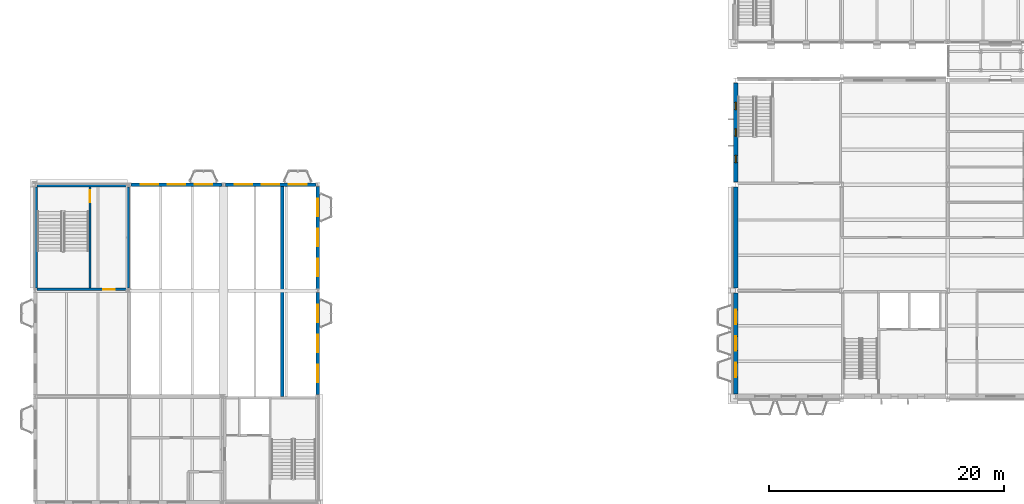
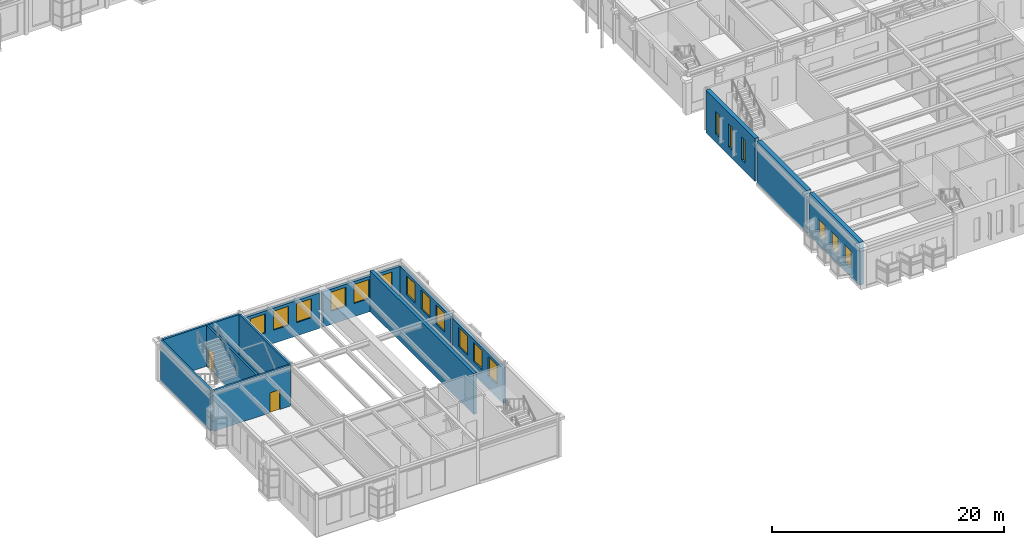
# One storey, part 93 of 153: 18 windows, 13 walls, 2 doors, 20 openings.
"""IFC4 building model written with IfcOpenShell, lengths in metres."""

from ifc_helpers import new_model, si_unit, direction, frame, frame_2d, origin, place, context, subcontext, project, spatial, rectangle, extrude, material, layer, layer_set, type_object, element, fill, save


model = new_model("IFC4")

# Units and contexts
model_context = context("Model", 3, precision=1e-05, world=origin(), true_north=direction((0.0, 1.0)))
body_context = subcontext(model_context, "Body", "Model", "MODEL_VIEW")
ifc_project = project(units=[si_unit("LENGTHUNIT", "METRE"), si_unit("AREAUNIT", "SQUARE_METRE"), si_unit("VOLUMEUNIT", "CUBIC_METRE"), si_unit("PLANEANGLEUNIT", "RADIAN"), si_unit("MASSUNIT", "GRAM", prefix="KILO")], contexts=[model_context])

# Site, building, storey
site_placement = place(None, origin())
site = spatial("IfcSite", under=ifc_project, at=site_placement, CompositionType="ELEMENT")
building_placement = place(site_placement, origin())
building = spatial("IfcBuilding", under=site, at=building_placement, Name="Kallimachos Central Library", CompositionType="ELEMENT")
storey_placement = place(building_placement, frame((0.0, 0.0, 5.39990234375)))
storey = spatial("IfcBuildingStorey", under=building, at=storey_placement, Name="L01", CompositionType="ELEMENT", Elevation=5.39990234375)

# Wall, openings, windows
ifc_material_1 = material(Name="Brick masonry with insulation, U 0.45 W/m2K", Category="masonry")
ifc_layer_1 = layer(ifc_material_1, 0.300048828125)
ifc_layer_set_1 = layer_set([ifc_layer_1], Name="Brick wall 300")
wall_type_1 = type_object("IfcWallType", Name="Brick wall 300", PredefinedType="SOLIDWALL", material=ifc_layer_set_1)
wall_1_placement = place(storey_placement, frame((14.14990234375, 36.0, 0.0), z_axis=(0.0, 0.0, 1.0), x_axis=(1.0, 0.0, 0.0)))
wall_1 = element("IfcWall", 1, at=wall_1_placement, inside=storey, type_object=wall_type_1, Name="V6-WAL-L01-009", PredefinedType="SOLIDWALL", context=body_context, shape_type="SweptSolid", body=[
    extrude(rectangle(XDim=7.7001953125, YDim=0.300048828125, at=frame_2d((3.85009765625, 0.0))), origin(), (0.0, 0.0, 1.0), 3.72021484375),
])
opening_1_placement = place(wall_1_placement, frame((0.800048828125, 0.0, 1.39990234375)))
opening_1 = element("IfcOpeningElement", 2, at=opening_1_placement, cuts=wall_1, Name="Opening WT10", PredefinedType="OPENING", context=body_context, shape_type="SweptSolid", body=[
    extrude(rectangle(XDim=1.5, YDim=2.0, at=frame_2d((0.75, 1.0))), frame((0.0, 0.159912109375, 0.0), z_axis=(0.0, -1.0, 0.0), x_axis=(1.0, 0.0, 0.0)), (0.0, 0.0, 1.0), 0.320068359375),
])
opening_2_placement = place(wall_1_placement, frame((3.10009765625, 0.0, 1.39990234375)))
opening_2 = element("IfcOpeningElement", 3, at=opening_2_placement, cuts=wall_1, Name="Opening WT10", PredefinedType="OPENING", context=body_context, shape_type="SweptSolid", body=[
    extrude(rectangle(XDim=1.5, YDim=2.0, at=frame_2d((0.75, 1.0))), frame((0.0, 0.159912109375, 0.0), z_axis=(0.0, -1.0, 0.0), x_axis=(1.0, 0.0, 0.0)), (0.0, 0.0, 1.0), 0.320068359375),
])
opening_3_placement = place(wall_1_placement, frame((5.39990234375, 0.0, 1.39990234375)))
opening_3 = element("IfcOpeningElement", 4, at=opening_3_placement, cuts=wall_1, Name="Opening WT10", PredefinedType="OPENING", context=body_context, shape_type="SweptSolid", body=[
    extrude(rectangle(XDim=1.5, YDim=2.0, at=frame_2d((0.75, 1.0))), frame((0.0, 0.159912109375, 0.0), z_axis=(0.0, -1.0, 0.0), x_axis=(1.0, 0.0, 0.0)), (0.0, 0.0, 1.0), 0.320068359375),
])
ifc_material_2 = material(Name="Anodised aluminium and laminated glass", Category="aluminium")
window_type_1 = type_object("IfcWindowType", Name="Clerestory window 1500 x 2000", PartitioningType="SINGLE_PANEL", PredefinedType="WINDOW", material=ifc_material_2)
window_1_placement = place(opening_1_placement, origin())
window_1 = element("IfcWindow", 5, at=window_1_placement, inside=storey, type_object=window_type_1, Name="V6-WIN-L01-012", OverallHeight=2.0, OverallWidth=1.5, PartitioningType="SINGLE_PANEL", PredefinedType="WINDOW", context=body_context, shape_type="SweptSolid", body=[
    extrude(rectangle(XDim=1.5, YDim=2.0, at=frame_2d((0.75, 1.0))), frame((0.0, 0.030029296875, 0.0), z_axis=(0.0, -1.0, 0.0), x_axis=(1.0, 0.0, 0.0)), (0.0, 0.0, 1.0), 0.06005859375),
])
fill(opening_1, window_1)
window_2_placement = place(opening_2_placement, origin())
window_2 = element("IfcWindow", 6, at=window_2_placement, inside=storey, type_object=window_type_1, Name="V6-WIN-L01-013", OverallHeight=2.0, OverallWidth=1.5, PartitioningType="SINGLE_PANEL", PredefinedType="WINDOW", context=body_context, shape_type="SweptSolid", body=[
    extrude(rectangle(XDim=1.5, YDim=2.0, at=frame_2d((0.75, 1.0))), frame((0.0, 0.030029296875, 0.0), z_axis=(0.0, -1.0, 0.0), x_axis=(1.0, 0.0, 0.0)), (0.0, 0.0, 1.0), 0.06005859375),
])
fill(opening_2, window_2)
window_3_placement = place(opening_3_placement, origin())
window_3 = element("IfcWindow", 7, at=window_3_placement, inside=storey, type_object=window_type_1, Name="V6-WIN-L01-014", OverallHeight=2.0, OverallWidth=1.5, PartitioningType="SINGLE_PANEL", PredefinedType="WINDOW", context=body_context, shape_type="SweptSolid", body=[
    extrude(rectangle(XDim=1.5, YDim=2.0, at=frame_2d((0.75, 1.0))), frame((0.0, 0.030029296875, 0.0), z_axis=(0.0, -1.0, 0.0), x_axis=(1.0, 0.0, 0.0)), (0.0, 0.0, 1.0), 0.06005859375),
])
fill(opening_3, window_3)

wall_2_placement = place(storey_placement, frame((22.14990234375, 36.0, 0.0), z_axis=(0.0, 0.0, 1.0), x_axis=(1.0, 0.0, 0.0)))
wall_2 = element("IfcWall", 8, at=wall_2_placement, inside=storey, type_object=wall_type_1, Name="V6-WAL-L01-010", PredefinedType="SOLIDWALL", context=body_context, shape_type="SweptSolid", body=[
    extrude(rectangle(XDim=7.7001953125, YDim=0.300048828125, at=frame_2d((3.85009765625, 0.0))), origin(), (0.0, 0.0, 1.0), 3.72021484375),
])
opening_4_placement = place(wall_2_placement, frame((0.800048828125, 0.0, 1.39990234375)))
opening_4 = element("IfcOpeningElement", 9, at=opening_4_placement, cuts=wall_2, Name="Opening WT10", PredefinedType="OPENING", context=body_context, shape_type="SweptSolid", body=[
    extrude(rectangle(XDim=1.5, YDim=2.0, at=frame_2d((0.75, 1.0))), frame((0.0, 0.159912109375, 0.0), z_axis=(0.0, -1.0, 0.0), x_axis=(1.0, 0.0, 0.0)), (0.0, 0.0, 1.0), 0.320068359375),
])
opening_5_placement = place(wall_2_placement, frame((3.10009765625, 0.0, 1.39990234375)))
opening_5 = element("IfcOpeningElement", 10, at=opening_5_placement, cuts=wall_2, Name="Opening WT10", PredefinedType="OPENING", context=body_context, shape_type="SweptSolid", body=[
    extrude(rectangle(XDim=1.5, YDim=2.0, at=frame_2d((0.75, 1.0))), frame((0.0, 0.159912109375, 0.0), z_axis=(0.0, -1.0, 0.0), x_axis=(1.0, 0.0, 0.0)), (0.0, 0.0, 1.0), 0.320068359375),
])
opening_6_placement = place(wall_2_placement, frame((5.39990234375, 0.0, 1.39990234375)))
opening_6 = element("IfcOpeningElement", 11, at=opening_6_placement, cuts=wall_2, Name="Opening WT10", PredefinedType="OPENING", context=body_context, shape_type="SweptSolid", body=[
    extrude(rectangle(XDim=1.5, YDim=2.0, at=frame_2d((0.75, 1.0))), frame((0.0, 0.159912109375, 0.0), z_axis=(0.0, -1.0, 0.0), x_axis=(1.0, 0.0, 0.0)), (0.0, 0.0, 1.0), 0.320068359375),
])
window_4_placement = place(opening_4_placement, origin())
window_4 = element("IfcWindow", 12, at=window_4_placement, inside=storey, type_object=window_type_1, Name="V6-WIN-L01-015", OverallHeight=2.0, OverallWidth=1.5, PartitioningType="SINGLE_PANEL", PredefinedType="WINDOW", context=body_context, shape_type="SweptSolid", body=[
    extrude(rectangle(XDim=1.5, YDim=2.0, at=frame_2d((0.75, 1.0))), frame((0.0, 0.030029296875, 0.0), z_axis=(0.0, -1.0, 0.0), x_axis=(1.0, 0.0, 0.0)), (0.0, 0.0, 1.0), 0.06005859375),
])
fill(opening_4, window_4)
window_5_placement = place(opening_5_placement, origin())
window_5 = element("IfcWindow", 13, at=window_5_placement, inside=storey, type_object=window_type_1, Name="V6-WIN-L01-016", OverallHeight=2.0, OverallWidth=1.5, PartitioningType="SINGLE_PANEL", PredefinedType="WINDOW", context=body_context, shape_type="SweptSolid", body=[
    extrude(rectangle(XDim=1.5, YDim=2.0, at=frame_2d((0.75, 1.0))), frame((0.0, 0.030029296875, 0.0), z_axis=(0.0, -1.0, 0.0), x_axis=(1.0, 0.0, 0.0)), (0.0, 0.0, 1.0), 0.06005859375),
])
fill(opening_5, window_5)
window_6_placement = place(opening_6_placement, origin())
window_6 = element("IfcWindow", 14, at=window_6_placement, inside=storey, type_object=window_type_1, Name="V6-WIN-L01-017", OverallHeight=2.0, OverallWidth=1.5, PartitioningType="SINGLE_PANEL", PredefinedType="WINDOW", context=body_context, shape_type="SweptSolid", body=[
    extrude(rectangle(XDim=1.5, YDim=2.0, at=frame_2d((0.75, 1.0))), frame((0.0, 0.030029296875, 0.0), z_axis=(0.0, -1.0, 0.0), x_axis=(1.0, 0.0, 0.0)), (0.0, 0.0, 1.0), 0.06005859375),
])
fill(opening_6, window_6)

wall_3_placement = place(storey_placement, frame((30.0, 18.14990234375, 0.0), z_axis=(0.0, 0.0, 1.0), x_axis=(0.0, 1.0, 0.0)))
wall_3 = element("IfcWall", 15, at=wall_3_placement, inside=storey, type_object=wall_type_1, Name="V6-WAL-L01-011", PredefinedType="SOLIDWALL", context=body_context, shape_type="SweptSolid", body=[
    extrude(rectangle(XDim=8.7001953125, YDim=0.300048828125, at=frame_2d((4.35009765625, 0.0))), origin(), (0.0, 0.0, 1.0), 3.72021484375),
])
opening_7_placement = place(wall_3_placement, frame((1.050048828125, 0.0, 1.39990234375)))
opening_7 = element("IfcOpeningElement", 16, at=opening_7_placement, cuts=wall_3, Name="Opening WT10", PredefinedType="OPENING", context=body_context, shape_type="SweptSolid", body=[
    extrude(rectangle(XDim=1.5, YDim=2.0, at=frame_2d((0.75, 1.0))), frame((0.0, 0.159912109375, 0.0), z_axis=(0.0, -1.0, 0.0), x_axis=(1.0, 0.0, 0.0)), (0.0, 0.0, 1.0), 0.320068359375),
])
opening_8_placement = place(wall_3_placement, frame((3.60009765625, 0.0, 1.39990234375)))
opening_8 = element("IfcOpeningElement", 17, at=opening_8_placement, cuts=wall_3, Name="Opening WT10", PredefinedType="OPENING", context=body_context, shape_type="SweptSolid", body=[
    extrude(rectangle(XDim=1.5, YDim=2.0, at=frame_2d((0.75, 1.0))), frame((0.0, 0.159912109375, 0.0), z_axis=(0.0, -1.0, 0.0), x_axis=(1.0, 0.0, 0.0)), (0.0, 0.0, 1.0), 0.320068359375),
])
opening_9_placement = place(wall_3_placement, frame((6.14990234375, 0.0, 1.39990234375)))
opening_9 = element("IfcOpeningElement", 18, at=opening_9_placement, cuts=wall_3, Name="Opening WT10", PredefinedType="OPENING", context=body_context, shape_type="SweptSolid", body=[
    extrude(rectangle(XDim=1.5, YDim=2.0, at=frame_2d((0.75, 1.0))), frame((0.0, 0.159912109375, 0.0), z_axis=(0.0, -1.0, 0.0), x_axis=(1.0, 0.0, 0.0)), (0.0, 0.0, 1.0), 0.320068359375),
])
window_7_placement = place(opening_7_placement, origin())
window_7 = element("IfcWindow", 19, at=window_7_placement, inside=storey, type_object=window_type_1, Name="V6-WIN-L01-018", OverallHeight=2.0, OverallWidth=1.5, PartitioningType="SINGLE_PANEL", PredefinedType="WINDOW", context=body_context, shape_type="SweptSolid", body=[
    extrude(rectangle(XDim=1.5, YDim=2.0, at=frame_2d((0.75, 1.0))), frame((0.0, 0.030029296875, 0.0), z_axis=(0.0, -1.0, 0.0), x_axis=(1.0, 0.0, 0.0)), (0.0, 0.0, 1.0), 0.06005859375),
])
fill(opening_7, window_7)
window_8_placement = place(opening_8_placement, origin())
window_8 = element("IfcWindow", 20, at=window_8_placement, inside=storey, type_object=window_type_1, Name="V6-WIN-L01-019", OverallHeight=2.0, OverallWidth=1.5, PartitioningType="SINGLE_PANEL", PredefinedType="WINDOW", context=body_context, shape_type="SweptSolid", body=[
    extrude(rectangle(XDim=1.5, YDim=2.0, at=frame_2d((0.75, 1.0))), frame((0.0, 0.030029296875, 0.0), z_axis=(0.0, -1.0, 0.0), x_axis=(1.0, 0.0, 0.0)), (0.0, 0.0, 1.0), 0.06005859375),
])
fill(opening_8, window_8)
window_9_placement = place(opening_9_placement, origin())
window_9 = element("IfcWindow", 21, at=window_9_placement, inside=storey, type_object=window_type_1, Name="V6-WIN-L01-020", OverallHeight=2.0, OverallWidth=1.5, PartitioningType="SINGLE_PANEL", PredefinedType="WINDOW", context=body_context, shape_type="SweptSolid", body=[
    extrude(rectangle(XDim=1.5, YDim=2.0, at=frame_2d((0.75, 1.0))), frame((0.0, 0.030029296875, 0.0), z_axis=(0.0, -1.0, 0.0), x_axis=(1.0, 0.0, 0.0)), (0.0, 0.0, 1.0), 0.06005859375),
])
fill(opening_9, window_9)

wall_4_placement = place(storey_placement, frame((30.0, 27.14990234375, 0.0), z_axis=(0.0, 0.0, 1.0), x_axis=(0.0, 1.0, 0.0)))
wall_4 = element("IfcWall", 22, at=wall_4_placement, inside=storey, type_object=wall_type_1, Name="V6-WAL-L01-012", PredefinedType="SOLIDWALL", context=body_context, shape_type="SweptSolid", body=[
    extrude(rectangle(XDim=8.7001953125, YDim=0.300048828125, at=frame_2d((4.35009765625, 0.0))), origin(), (0.0, 0.0, 1.0), 3.72021484375),
])
opening_10_placement = place(wall_4_placement, frame((1.050048828125, 0.0, 1.39990234375)))
opening_10 = element("IfcOpeningElement", 23, at=opening_10_placement, cuts=wall_4, Name="Opening WT10", PredefinedType="OPENING", context=body_context, shape_type="SweptSolid", body=[
    extrude(rectangle(XDim=1.5, YDim=2.0, at=frame_2d((0.75, 1.0))), frame((0.0, 0.159912109375, 0.0), z_axis=(0.0, -1.0, 0.0), x_axis=(1.0, 0.0, 0.0)), (0.0, 0.0, 1.0), 0.320068359375),
])
opening_11_placement = place(wall_4_placement, frame((3.60009765625, 0.0, 1.39990234375)))
opening_11 = element("IfcOpeningElement", 24, at=opening_11_placement, cuts=wall_4, Name="Opening WT10", PredefinedType="OPENING", context=body_context, shape_type="SweptSolid", body=[
    extrude(rectangle(XDim=1.5, YDim=2.0, at=frame_2d((0.75, 1.0))), frame((0.0, 0.159912109375, 0.0), z_axis=(0.0, -1.0, 0.0), x_axis=(1.0, 0.0, 0.0)), (0.0, 0.0, 1.0), 0.320068359375),
])
opening_12_placement = place(wall_4_placement, frame((6.14990234375, 0.0, 1.39990234375)))
opening_12 = element("IfcOpeningElement", 25, at=opening_12_placement, cuts=wall_4, Name="Opening WT10", PredefinedType="OPENING", context=body_context, shape_type="SweptSolid", body=[
    extrude(rectangle(XDim=1.5, YDim=2.0, at=frame_2d((0.75, 1.0))), frame((0.0, 0.159912109375, 0.0), z_axis=(0.0, -1.0, 0.0), x_axis=(1.0, 0.0, 0.0)), (0.0, 0.0, 1.0), 0.320068359375),
])
window_10_placement = place(opening_10_placement, origin())
window_10 = element("IfcWindow", 26, at=window_10_placement, inside=storey, type_object=window_type_1, Name="V6-WIN-L01-021", OverallHeight=2.0, OverallWidth=1.5, PartitioningType="SINGLE_PANEL", PredefinedType="WINDOW", context=body_context, shape_type="SweptSolid", body=[
    extrude(rectangle(XDim=1.5, YDim=2.0, at=frame_2d((0.75, 1.0))), frame((0.0, 0.030029296875, 0.0), z_axis=(0.0, -1.0, 0.0), x_axis=(1.0, 0.0, 0.0)), (0.0, 0.0, 1.0), 0.06005859375),
])
fill(opening_10, window_10)
window_11_placement = place(opening_11_placement, origin())
window_11 = element("IfcWindow", 27, at=window_11_placement, inside=storey, type_object=window_type_1, Name="V6-WIN-L01-022", OverallHeight=2.0, OverallWidth=1.5, PartitioningType="SINGLE_PANEL", PredefinedType="WINDOW", context=body_context, shape_type="SweptSolid", body=[
    extrude(rectangle(XDim=1.5, YDim=2.0, at=frame_2d((0.75, 1.0))), frame((0.0, 0.030029296875, 0.0), z_axis=(0.0, -1.0, 0.0), x_axis=(1.0, 0.0, 0.0)), (0.0, 0.0, 1.0), 0.06005859375),
])
fill(opening_11, window_11)
window_12_placement = place(opening_12_placement, origin())
window_12 = element("IfcWindow", 28, at=window_12_placement, inside=storey, type_object=window_type_1, Name="V6-WIN-L01-023", OverallHeight=2.0, OverallWidth=1.5, PartitioningType="SINGLE_PANEL", PredefinedType="WINDOW", context=body_context, shape_type="SweptSolid", body=[
    extrude(rectangle(XDim=1.5, YDim=2.0, at=frame_2d((0.75, 1.0))), frame((0.0, 0.030029296875, 0.0), z_axis=(0.0, -1.0, 0.0), x_axis=(1.0, 0.0, 0.0)), (0.0, 0.0, 1.0), 0.06005859375),
])
fill(opening_12, window_12)

# Wall, opening, door
ifc_material_3 = material(Name="Concrete C30/37", Category="concrete")
ifc_layer_2 = layer(ifc_material_3, 0.199951171875)
ifc_layer_set_2 = layer_set([ifc_layer_2], Name="Core wall 200")
wall_type_2 = type_object("IfcWallType", Name="Core wall 200", PredefinedType="SOLIDWALL", material=ifc_layer_set_2)
wall_5_placement = place(storey_placement, frame((6.14990234375, 27.10009765625, 0.0), z_axis=(0.0, 0.0, 1.0), x_axis=(1.0, 0.0, 0.0)))
wall_5 = element("IfcWall", 29, at=wall_5_placement, inside=storey, type_object=wall_type_2, Name="V6-WAL-L01-023", PredefinedType="SOLIDWALL", context=body_context, shape_type="SweptSolid", body=[
    extrude(rectangle(XDim=7.7001953125, YDim=0.199951171875, at=frame_2d((3.85009765625, 0.0))), origin(), (0.0, 0.0, 1.0), 4.300048828125),
])
opening_13_placement = place(wall_5_placement, frame((5.625, 0.0, 0.0)))
opening_13 = element("IfcOpeningElement", 30, at=opening_13_placement, cuts=wall_5, Name="Opening D356", PredefinedType="OPENING", context=body_context, shape_type="SweptSolid", body=[
    extrude(rectangle(XDim=1.0, YDim=2.10009765625, at=frame_2d((0.5, 1.050048828125))), frame((0.0, 0.10986328125, 0.0), z_axis=(0.0, -1.0, 0.0), x_axis=(1.0, 0.0, 0.0)), (0.0, 0.0, 1.0), 0.219970703125),
])
ifc_material_4 = material(Name="Oak timber", Category="wood")
door_type = type_object("IfcDoorType", Name="Single door 1000 x 2100", OperationType="NOTDEFINED", PredefinedType="DOOR", material=ifc_material_4)
door_1_placement = place(opening_13_placement, origin())
door_1 = element("IfcDoor", 31, at=door_1_placement, inside=storey, type_object=door_type, Name="Stair Lobby Door", OperationType="SINGLE_SWING_RIGHT", OverallHeight=2.10009765625, OverallWidth=1.0, PredefinedType="DOOR", context=body_context, shape_type="SweptSolid", body=[
    extrude(rectangle(XDim=1.0, YDim=2.10009765625, at=frame_2d((0.5, 1.050048828125))), frame((0.0, 0.02490234375, 0.0), z_axis=(0.0, -1.0, 0.0), x_axis=(1.0, 0.0, 0.0)), (0.0, 0.0, 1.0), 0.050048828125),
])
fill(opening_13, door_1)

# Wall
wall_6_placement = place(storey_placement, frame((13.89990234375, 27.199951171875, 0.0), z_axis=(0.0, 0.0, 1.0), x_axis=(0.0, 1.0, 0.0)))
element("IfcWall", 32, at=wall_6_placement, inside=storey, type_object=wall_type_2, Name="V6-WAL-L01-026", PredefinedType="SOLIDWALL", context=body_context, shape_type="SweptSolid", body=[
    extrude(rectangle(XDim=8.60009765625, YDim=0.199951171875, at=frame_2d((4.300048828125, 0.0))), origin(), (0.0, 0.0, 1.0), 4.300048828125),
])

# Wall, opening, door
wall_7_placement = place(storey_placement, frame((10.64990234375, 27.199951171875, 0.0), z_axis=(0.0, 0.0, 1.0), x_axis=(0.0, 1.0, 0.0)))
wall_7 = element("IfcWall", 33, at=wall_7_placement, inside=storey, type_object=wall_type_2, Name="V6-WAL-L01-027", PredefinedType="SOLIDWALL", context=body_context, shape_type="SweptSolid", body=[
    extrude(rectangle(XDim=8.60009765625, YDim=0.199951171875, at=frame_2d((4.300048828125, 0.0))), origin(), (0.0, 0.0, 1.0), 4.300048828125),
])
opening_14_placement = place(wall_7_placement, frame((7.300048828125, 0.0, 0.0)))
opening_14 = element("IfcOpeningElement", 34, at=opening_14_placement, cuts=wall_7, Name="Opening D348", PredefinedType="OPENING", context=body_context, shape_type="SweptSolid", body=[
    extrude(rectangle(XDim=1.0, YDim=2.10009765625, at=frame_2d((0.5, 1.050048828125))), frame((0.0, 0.10986328125, 0.0), z_axis=(0.0, -1.0, 0.0), x_axis=(1.0, 0.0, 0.0)), (0.0, 0.0, 1.0), 0.219970703125),
])
door_2_placement = place(opening_14_placement, frame((1.0, 0.0, 0.0), z_axis=(0.0, 0.0, 1.0), x_axis=(-1.0, 0.0, 0.0)))
door_2 = element("IfcDoor", 35, at=door_2_placement, inside=storey, type_object=door_type, Name="Stair Door", OperationType="SINGLE_SWING_RIGHT", OverallHeight=2.10009765625, OverallWidth=1.0, PredefinedType="DOOR", context=body_context, shape_type="SweptSolid", body=[
    extrude(rectangle(XDim=1.0, YDim=2.10009765625, at=frame_2d((0.5, 1.050048828125))), frame((0.0, 0.02490234375, 0.0), z_axis=(0.0, -1.0, 0.0), x_axis=(1.0, 0.0, 0.0)), (0.0, 0.0, 1.0), 0.050048828125),
])
fill(opening_14, door_2)

# Wall
ifc_material_5 = material(Name="Concrete C30/37", Category="concrete")
ifc_layer_3 = layer(ifc_material_5, 0.300048828125)
ifc_layer_set_3 = layer_set([ifc_layer_3], Name="Hall wall 300")
wall_type_3 = type_object("IfcWallType", Name="Hall wall 300", PredefinedType="SOLIDWALL", material=ifc_layer_set_3)
wall_8_placement = place(storey_placement, frame((27.0, 18.0, 0.0), z_axis=(0.0, 0.0, 1.0), x_axis=(0.0, 1.0, 0.0)))
element("IfcWall", 36, at=wall_8_placement, inside=storey, type_object=wall_type_3, Name="V6-WAL-L01-015", PredefinedType="SOLIDWALL", context=body_context, shape_type="SweptSolid", body=[
    extrude(rectangle(XDim=17.85009765625, YDim=0.300048828125, at=frame_2d((8.925048828125, 0.0))), origin(), (0.0, 0.0, 1.0), 4.300048828125),
])

# Wall, openings, windows
ifc_material_6 = material(Name="Pentelic marble masonry", Category="masonry")
ifc_layer_4 = layer(ifc_material_6, 0.39990234375)
ifc_layer_set_4 = layer_set([ifc_layer_4], Name="Stone masonry wall 400")
wall_type_4 = type_object("IfcWallType", Name="Stone masonry wall 400", PredefinedType="SOLIDWALL", material=ifc_layer_set_4)
wall_9_placement = place(storey_placement, frame((65.5, 18.199951171875, 0.0), z_axis=(0.0, 0.0, 1.0), x_axis=(0.0, 1.0, 0.0)))
wall_9 = element("IfcWall", 37, at=wall_9_placement, inside=storey, type_object=wall_type_4, Name="V5-WAL-L01-020", PredefinedType="SOLIDWALL", context=body_context, shape_type="SweptSolid", body=[
    extrude(rectangle(XDim=8.60009765625, YDim=0.39990234375, at=frame_2d((4.300048828125, 0.0))), origin(), (0.0, 0.0, 1.0), 4.5),
])
opening_15_placement = place(wall_9_placement, frame((1.449951171875, 0.0, 0.89990234375)))
opening_15 = element("IfcOpeningElement", 38, at=opening_15_placement, cuts=wall_9, Name="Opening WN55", PredefinedType="OPENING", context=body_context, shape_type="SweptSolid", body=[
    extrude(rectangle(XDim=1.199951171875, YDim=1.800048828125, at=frame_2d((0.60009765625, 0.89990234375))), frame((0.0, 0.2099609375, 0.0), z_axis=(0.0, -1.0, 0.0), x_axis=(1.0, 0.0, 0.0)), (0.0, 0.0, 1.0), 0.419921875),
])
opening_16_placement = place(wall_9_placement, frame((3.699951171875, 0.0, 0.89990234375)))
opening_16 = element("IfcOpeningElement", 39, at=opening_16_placement, cuts=wall_9, Name="Opening WN56", PredefinedType="OPENING", context=body_context, shape_type="SweptSolid", body=[
    extrude(rectangle(XDim=1.199951171875, YDim=1.800048828125, at=frame_2d((0.60009765625, 0.89990234375))), frame((0.0, 0.2099609375, 0.0), z_axis=(0.0, -1.0, 0.0), x_axis=(1.0, 0.0, 0.0)), (0.0, 0.0, 1.0), 0.419921875),
])
opening_17_placement = place(wall_9_placement, frame((5.949951171875, 0.0, 0.89990234375)))
opening_17 = element("IfcOpeningElement", 40, at=opening_17_placement, cuts=wall_9, Name="Opening WN57", PredefinedType="OPENING", context=body_context, shape_type="SweptSolid", body=[
    extrude(rectangle(XDim=1.199951171875, YDim=1.800048828125, at=frame_2d((0.60009765625, 0.89990234375))), frame((0.0, 0.2099609375, 0.0), z_axis=(0.0, -1.0, 0.0), x_axis=(1.0, 0.0, 0.0)), (0.0, 0.0, 1.0), 0.419921875),
])
ifc_material_7 = material(Name="Anodised aluminium and laminated glass", Category="aluminium")
window_type_2 = type_object("IfcWindowType", Name="Staff window 1200 x 1800", PartitioningType="SINGLE_PANEL", PredefinedType="WINDOW", material=ifc_material_7)
window_13_placement = place(opening_15_placement, origin())
window_13 = element("IfcWindow", 41, at=window_13_placement, inside=storey, type_object=window_type_2, Name="V5-WIN-L01-024", OverallHeight=1.800048828125, OverallWidth=1.199951171875, PartitioningType="SINGLE_PANEL", PredefinedType="WINDOW", context=body_context, shape_type="SweptSolid", body=[
    extrude(rectangle(XDim=1.199951171875, YDim=1.800048828125, at=frame_2d((0.60009765625, 0.89990234375))), frame((0.0, 0.030029296875, 0.0), z_axis=(0.0, -1.0, 0.0), x_axis=(1.0, 0.0, 0.0)), (0.0, 0.0, 1.0), 0.06005859375),
])
fill(opening_15, window_13)
window_14_placement = place(opening_16_placement, origin())
window_14 = element("IfcWindow", 42, at=window_14_placement, inside=storey, type_object=window_type_2, Name="V5-WIN-L01-025", OverallHeight=1.800048828125, OverallWidth=1.199951171875, PartitioningType="SINGLE_PANEL", PredefinedType="WINDOW", context=body_context, shape_type="SweptSolid", body=[
    extrude(rectangle(XDim=1.199951171875, YDim=1.800048828125, at=frame_2d((0.60009765625, 0.89990234375))), frame((0.0, 0.030029296875, 0.0), z_axis=(0.0, -1.0, 0.0), x_axis=(1.0, 0.0, 0.0)), (0.0, 0.0, 1.0), 0.06005859375),
])
fill(opening_16, window_14)
window_15_placement = place(opening_17_placement, origin())
window_15 = element("IfcWindow", 43, at=window_15_placement, inside=storey, type_object=window_type_2, Name="V5-WIN-L01-026", OverallHeight=1.800048828125, OverallWidth=1.199951171875, PartitioningType="SINGLE_PANEL", PredefinedType="WINDOW", context=body_context, shape_type="SweptSolid", body=[
    extrude(rectangle(XDim=1.199951171875, YDim=1.800048828125, at=frame_2d((0.60009765625, 0.89990234375))), frame((0.0, 0.030029296875, 0.0), z_axis=(0.0, -1.0, 0.0), x_axis=(1.0, 0.0, 0.0)), (0.0, 0.0, 1.0), 0.06005859375),
])
fill(opening_17, window_15)

# Walls
wall_10_placement = place(storey_placement, frame((65.5, 27.199951171875, 0.0), z_axis=(0.0, 0.0, 1.0), x_axis=(0.0, 1.0, 0.0)))
element("IfcWall", 44, at=wall_10_placement, inside=storey, type_object=wall_type_4, Name="V5-WAL-L01-021", PredefinedType="SOLIDWALL", context=body_context, shape_type="SweptSolid", body=[
    extrude(rectangle(XDim=8.60009765625, YDim=0.39990234375, at=frame_2d((4.300048828125, 0.0))), origin(), (0.0, 0.0, 1.0), 4.5),
])
ifc_material_8 = material(Name="Concrete C30/37", Category="concrete")
ifc_layer_5 = layer(ifc_material_8, 0.199951171875)
ifc_layer_set_5 = layer_set([ifc_layer_5], Name="Stone-clad core wall 200")
wall_type_5 = type_object("IfcWallType", Name="Stone-clad core wall 200", PredefinedType="SOLIDWALL", material=ifc_layer_set_5)
wall_11_placement = place(storey_placement, frame((6.10009765625, 27.199951171875, 0.0), z_axis=(0.0, 0.0, 1.0), x_axis=(0.0, 1.0, 0.0)))
element("IfcWall", 45, at=wall_11_placement, inside=storey, type_object=wall_type_5, Name="V6-WAL-L01-024", PredefinedType="SOLIDWALL", context=body_context, shape_type="SweptSolid", body=[
    extrude(rectangle(XDim=8.60009765625, YDim=0.199951171875, at=frame_2d((4.300048828125, 0.0))), origin(), (0.0, 0.0, 1.0), 4.300048828125),
])
wall_12_placement = place(storey_placement, frame((6.14990234375, 35.89990234375, 0.0), z_axis=(0.0, 0.0, 1.0), x_axis=(1.0, 0.0, 0.0)))
element("IfcWall", 46, at=wall_12_placement, inside=storey, type_object=wall_type_5, Name="V6-WAL-L01-025", PredefinedType="SOLIDWALL", context=body_context, shape_type="SweptSolid", body=[
    extrude(rectangle(XDim=7.7001953125, YDim=0.199951171875, at=frame_2d((3.85009765625, 0.0))), origin(), (0.0, 0.0, 1.0), 4.300048828125),
])

# Wall, openings, windows
ifc_material_9 = material(Name="Concrete C30/37", Category="concrete")
ifc_layer_6 = layer(ifc_material_9, 0.39990234375)
ifc_layer_set_6 = layer_set([ifc_layer_6], Name="Stone-clad core wall 400")
wall_type_6 = type_object("IfcWallType", Name="Stone-clad core wall 400", PredefinedType="SOLIDWALL", material=ifc_layer_set_6)
wall_13_placement = place(storey_placement, frame((65.5, 36.199951171875, 0.0), z_axis=(0.0, 0.0, 1.0), x_axis=(0.0, 1.0, 0.0)))
wall_13 = element("IfcWall", 47, at=wall_13_placement, inside=storey, type_object=wall_type_6, Name="V5-WAL-L01-022", PredefinedType="SOLIDWALL", context=body_context, shape_type="SweptSolid", body=[
    extrude(rectangle(XDim=8.449951171875, YDim=0.39990234375, at=frame_2d((4.22509765625, 0.0))), origin(), (0.0, 0.0, 1.0), 4.5),
])
opening_18_placement = place(wall_13_placement, frame((1.675048828125, 0.0, 0.89990234375)))
opening_18 = element("IfcOpeningElement", 48, at=opening_18_placement, cuts=wall_13, Name="Opening WN58", PredefinedType="OPENING", context=body_context, shape_type="SweptSolid", body=[
    extrude(rectangle(XDim=0.60009765625, YDim=2.39990234375, at=frame_2d((0.300048828125, 1.199951171875))), frame((0.0, 0.2099609375, 0.0), z_axis=(0.0, -1.0, 0.0), x_axis=(1.0, 0.0, 0.0)), (0.0, 0.0, 1.0), 0.419921875),
])
opening_19_placement = place(wall_13_placement, frame((3.925048828125, 0.0, 0.89990234375)))
opening_19 = element("IfcOpeningElement", 49, at=opening_19_placement, cuts=wall_13, Name="Opening WN59", PredefinedType="OPENING", context=body_context, shape_type="SweptSolid", body=[
    extrude(rectangle(XDim=0.60009765625, YDim=2.39990234375, at=frame_2d((0.300048828125, 1.199951171875))), frame((0.0, 0.2099609375, 0.0), z_axis=(0.0, -1.0, 0.0), x_axis=(1.0, 0.0, 0.0)), (0.0, 0.0, 1.0), 0.419921875),
])
opening_20_placement = place(wall_13_placement, frame((6.175048828125, 0.0, 0.89990234375)))
opening_20 = element("IfcOpeningElement", 50, at=opening_20_placement, cuts=wall_13, Name="Opening WN60", PredefinedType="OPENING", context=body_context, shape_type="SweptSolid", body=[
    extrude(rectangle(XDim=0.60009765625, YDim=2.39990234375, at=frame_2d((0.300048828125, 1.199951171875))), frame((0.0, 0.2099609375, 0.0), z_axis=(0.0, -1.0, 0.0), x_axis=(1.0, 0.0, 0.0)), (0.0, 0.0, 1.0), 0.419921875),
])
ifc_material_10 = material(Name="Anodised aluminium and laminated glass", Category="aluminium")
window_type_3 = type_object("IfcWindowType", Name="Slot window 600 x 2400", PartitioningType="SINGLE_PANEL", PredefinedType="WINDOW", material=ifc_material_10)
window_16_placement = place(opening_18_placement, origin())
window_16 = element("IfcWindow", 51, at=window_16_placement, inside=storey, type_object=window_type_3, Name="V5-WIN-L01-027", OverallHeight=2.39990234375, OverallWidth=0.60009765625, PartitioningType="SINGLE_PANEL", PredefinedType="WINDOW", context=body_context, shape_type="SweptSolid", body=[
    extrude(rectangle(XDim=0.60009765625, YDim=2.39990234375, at=frame_2d((0.300048828125, 1.199951171875))), frame((0.0, 0.030029296875, 0.0), z_axis=(0.0, -1.0, 0.0), x_axis=(1.0, 0.0, 0.0)), (0.0, 0.0, 1.0), 0.06005859375),
])
fill(opening_18, window_16)
window_17_placement = place(opening_19_placement, origin())
window_17 = element("IfcWindow", 52, at=window_17_placement, inside=storey, type_object=window_type_3, Name="V5-WIN-L01-028", OverallHeight=2.39990234375, OverallWidth=0.60009765625, PartitioningType="SINGLE_PANEL", PredefinedType="WINDOW", context=body_context, shape_type="SweptSolid", body=[
    extrude(rectangle(XDim=0.60009765625, YDim=2.39990234375, at=frame_2d((0.300048828125, 1.199951171875))), frame((0.0, 0.030029296875, 0.0), z_axis=(0.0, -1.0, 0.0), x_axis=(1.0, 0.0, 0.0)), (0.0, 0.0, 1.0), 0.06005859375),
])
fill(opening_19, window_17)
window_18_placement = place(opening_20_placement, origin())
window_18 = element("IfcWindow", 53, at=window_18_placement, inside=storey, type_object=window_type_3, Name="V5-WIN-L01-029", OverallHeight=2.39990234375, OverallWidth=0.60009765625, PartitioningType="SINGLE_PANEL", PredefinedType="WINDOW", context=body_context, shape_type="SweptSolid", body=[
    extrude(rectangle(XDim=0.60009765625, YDim=2.39990234375, at=frame_2d((0.300048828125, 1.199951171875))), frame((0.0, 0.030029296875, 0.0), z_axis=(0.0, -1.0, 0.0), x_axis=(1.0, 0.0, 0.0)), (0.0, 0.0, 1.0), 0.06005859375),
])
fill(opening_20, window_18)

save(model, "model.ifc")
